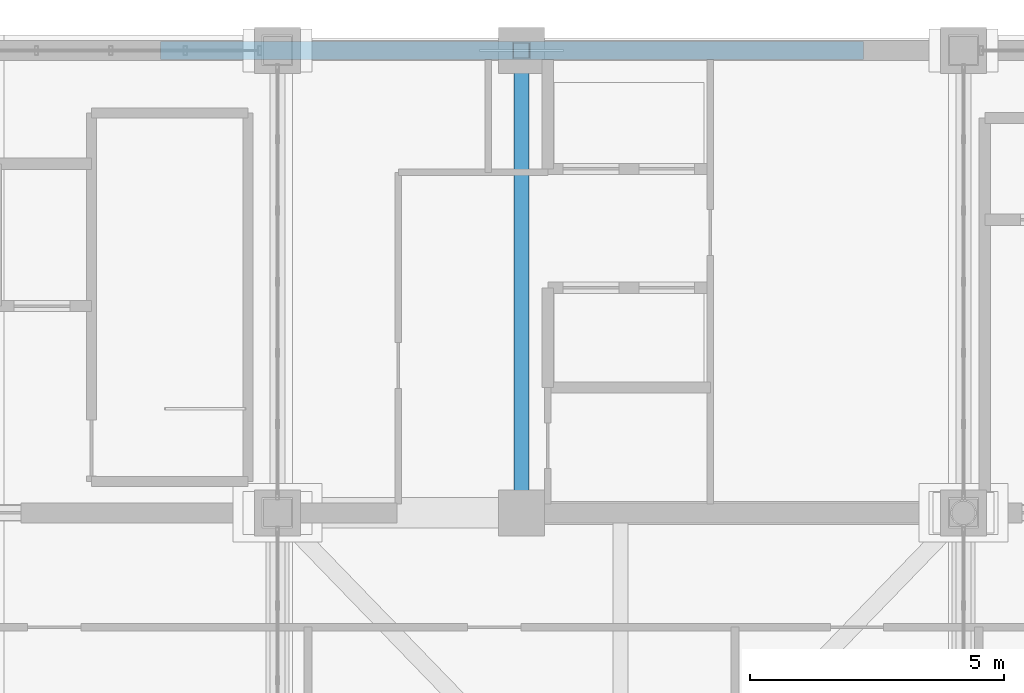
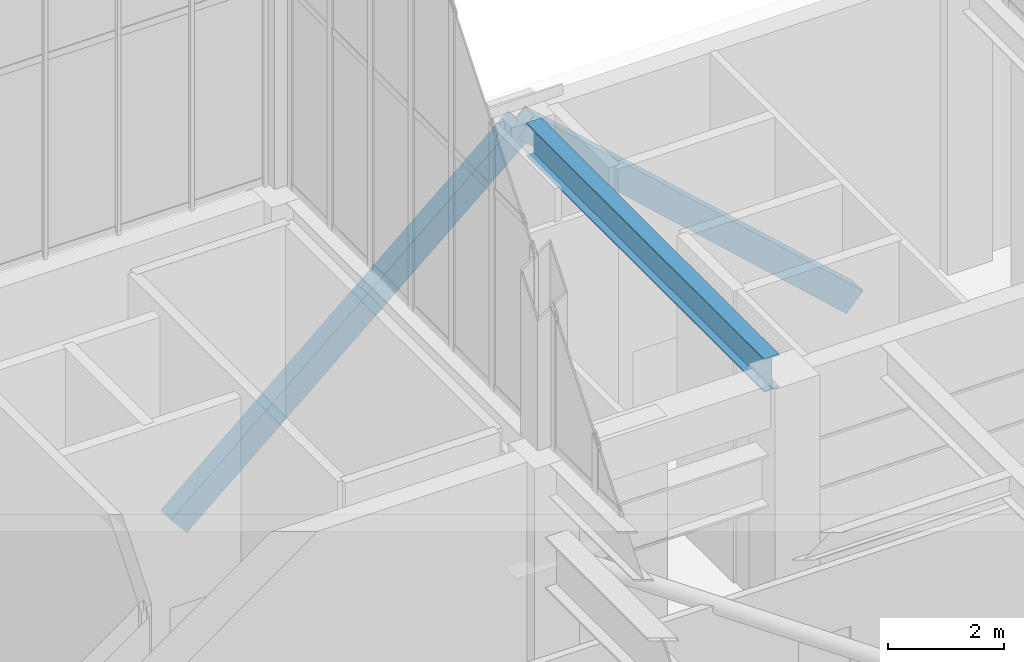
# One storey, part 27 of 135: 2 members, 1 beam.
"""IFC4 building model written with IfcOpenShell, lengths in metres."""

from ifc_helpers import new_model, si_unit, direction, frame, origin, origin_2d, place, context, subcontext, project, spatial, hollow_rectangle, i_section, extrude, source, transform, mapped, material, material_profile, profile_set, type_object, element, save


model = new_model("IFC4")

# Units and contexts
model_context = context("Model", 3, precision=1e-05, world=origin(), true_north=direction((0.0, 1.0)))
body_context = subcontext(model_context, "Body", "Model", "MODEL_VIEW")
ifc_project = project(units=[si_unit("LENGTHUNIT", "METRE"), si_unit("AREAUNIT", "SQUARE_METRE"), si_unit("VOLUMEUNIT", "CUBIC_METRE"), si_unit("PLANEANGLEUNIT", "RADIAN"), si_unit("MASSUNIT", "GRAM", prefix="KILO")], contexts=[model_context])

# Site, building, storey
site_placement = place(None, origin())
site = spatial("IfcSite", under=ifc_project, at=site_placement, CompositionType="ELEMENT")
building_placement = place(site_placement, origin())
building = spatial("IfcBuilding", under=site, at=building_placement, Name="Giltprow Tower", CompositionType="ELEMENT")
storey_placement = place(building_placement, frame((0.0, 0.0, 352.699951171875)))
storey = spatial("IfcBuildingStorey", under=building, at=storey_placement, Name="L92", CompositionType="ELEMENT", Elevation=352.699951171875)

# Beam
ifc_material_1 = material(Name="Structural steel Q355B", Category="steel")
ifc_material_profile_1 = material_profile(ifc_material_1, i_section(OverallWidth=0.300048828125, OverallDepth=0.699951171875, WebThickness=0.012939453125, FlangeThickness=0.02392578125, at=origin_2d()), Name="HN 700x300x13x24")
ifc_profile_set_1 = profile_set([ifc_material_profile_1], Name="Structural steel Q355B")
beam_type = type_object("IfcBeamType", Name="BM-GIRD-HN700", PredefinedType="BEAM", material=ifc_profile_set_1)
shared_shape_1 = source(origin(), body_context, "Body", "SweptSolid", [
    extrude(i_section(OverallWidth=0.300048828125, OverallDepth=0.699951171875, WebThickness=0.012939453125, FlangeThickness=0.02392578125, at=origin_2d()), origin(), (0.0, 0.0, 1.0), 8.22998046875),
])
beam_placement = place(storey_placement, frame((35.60009765625, 37.885009765625, 5.81005859375), z_axis=(0.0, 1.0, 0.0), x_axis=(-1.0, 0.0, 0.0)))
element("IfcBeam", 1, at=beam_placement, inside=storey, type_object=beam_type, Name="L92 Core Tie Girder M2", PredefinedType="BEAM", context=body_context, shape_type="MappedRepresentation", body=[
    mapped(shared_shape_1, transform((0.0, 0.0, 0.0), x_axis=(1.0, 0.0, 0.0), y_axis=(0.0, 1.0, 0.0), z_axis=(0.0, 0.0, 1.0), scale=1.0)),
])

# Members
ifc_material_2 = material(Name="Structural steel Q420GJC", Category="steel")
ifc_material_profile_2 = material_profile(ifc_material_2, hollow_rectangle(XDim=0.35009765625, YDim=0.5, WallThickness=0.02392578125, at=origin_2d()), Name="RHS 500x350x24")
ifc_profile_set_2 = profile_set([ifc_material_profile_2], Name="Structural steel Q420GJC")
member_type = type_object("IfcMemberType", Name="MBR-MEGA-RHS500", PredefinedType="BRACE", material=ifc_profile_set_2)
shared_shape_2 = source(origin(), body_context, "Body", "SweptSolid", [
    extrude(hollow_rectangle(XDim=0.35009765625, YDim=0.5, WallThickness=0.02392578125, at=origin_2d()), origin(), (0.0, 0.0, 1.0), 9.171875),
])
member_1_placement = place(storey_placement, frame((28.6630859375, 46.550048828125, -0.139892578125), z_axis=(0.756340391026, 0.0, 0.654178273029), x_axis=(0.0, 1.0, 0.0)))
element("IfcMember", 2, at=member_1_placement, inside=storey, type_object=member_type, Name="L92 Chevron Mega-Brace N-L", PredefinedType="BRACE", context=body_context, shape_type="MappedRepresentation", body=[
    mapped(shared_shape_2, transform((0.0, 0.0, 0.0), x_axis=(1.0, 0.0, 0.0), y_axis=(0.0, 1.0, 0.0), z_axis=(0.0, 0.0, 1.0), scale=1.0)),
])
shared_shape_3 = source(origin(), body_context, "Body", "SweptSolid", [
    extrude(hollow_rectangle(XDim=0.35009765625, YDim=0.5, WallThickness=0.02392578125, at=origin_2d()), origin(), (0.0, 0.0, 1.0), 8.8916015625),
])
member_2_placement = place(storey_placement, frame((42.162109375, 46.550048828125, -0.139892578125), z_axis=(-0.738003807918, 0.0, 0.674796546744), x_axis=(0.0, -1.0, 0.0)))
element("IfcMember", 3, at=member_2_placement, inside=storey, type_object=member_type, Name="L92 Chevron Mega-Brace N-R", PredefinedType="BRACE", context=body_context, shape_type="MappedRepresentation", body=[
    mapped(shared_shape_3, transform((0.0, 0.0, 0.0), x_axis=(1.0, 0.0, 0.0), y_axis=(0.0, 1.0, 0.0), z_axis=(0.0, 0.0, 1.0), scale=1.0)),
])

save(model, "model.ifc")
